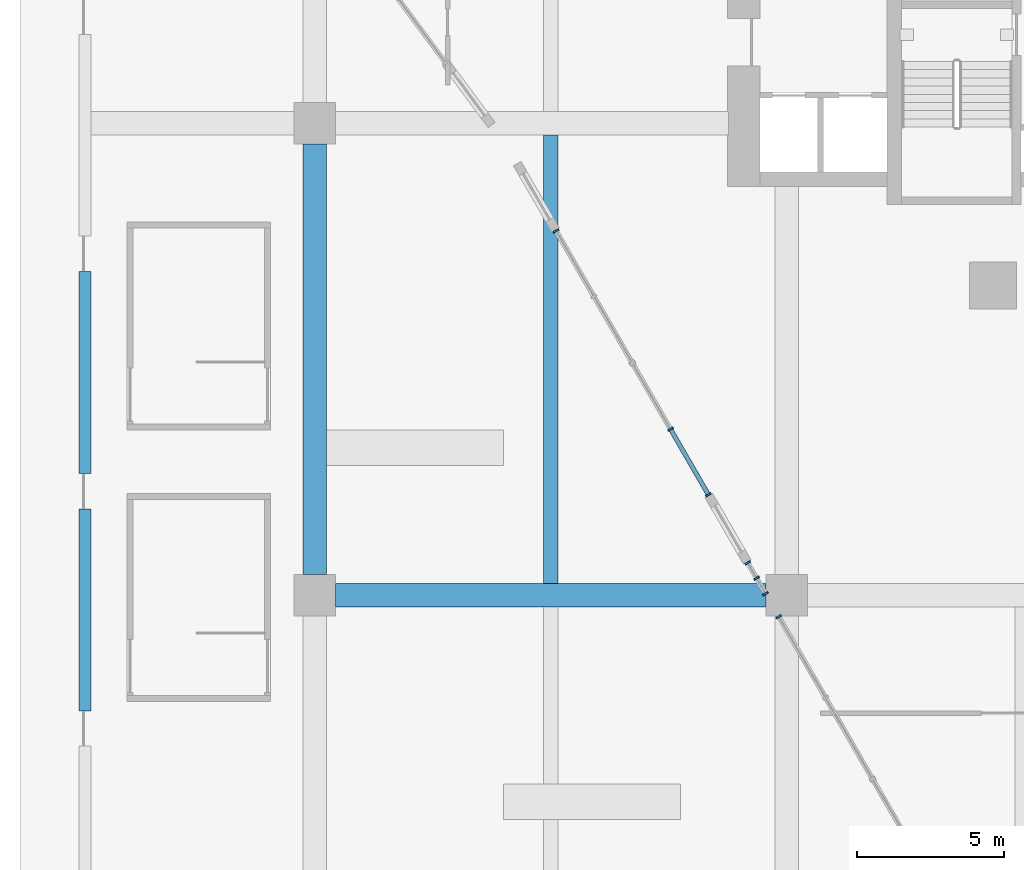
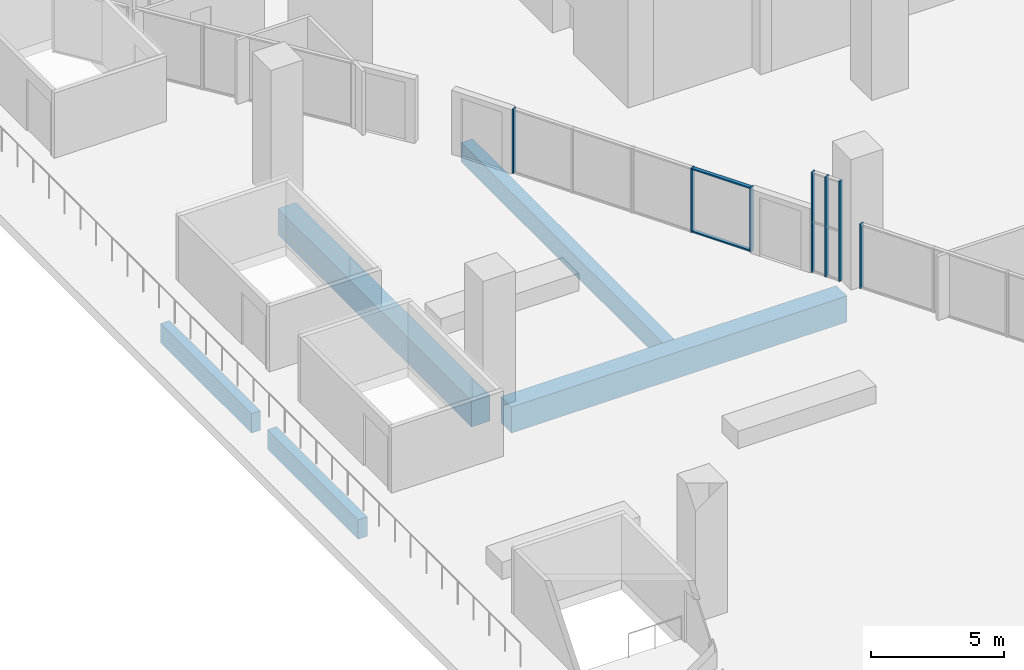
# One storey, part 7 of 25: 9 members, 5 beams, 4 elements without a shape of their own.
"""IFC4 building model written with IfcOpenShell, lengths in metres."""

from ifc_helpers import new_model, si_unit, direction, frame, origin, origin_2d, place, context, subcontext, project, spatial, rectangle, extrude, material, material_profile, profile_set, type_object, element, aggregate, save


model = new_model("IFC4")

# Units and contexts
model_context = context("Model", 3, precision=1e-05, world=origin(), true_north=direction((0.0, 1.0)))
body_context = subcontext(model_context, "Body", "Model", "MODEL_VIEW")
ifc_project = project(units=[si_unit("LENGTHUNIT", "METRE"), si_unit("AREAUNIT", "SQUARE_METRE"), si_unit("VOLUMEUNIT", "CUBIC_METRE"), si_unit("PLANEANGLEUNIT", "RADIAN"), si_unit("MASSUNIT", "GRAM", prefix="KILO")], contexts=[model_context])

# Site, building, storey
site_placement = place(None, origin())
site = spatial("IfcSite", under=ifc_project, at=site_placement, CompositionType="ELEMENT")
building_placement = place(site_placement, origin())
building = spatial("IfcBuilding", under=site, at=building_placement, Name="Calabash Gate Tower", CompositionType="ELEMENT")
storey_placement = place(building_placement, frame((0.0, 0.0, 40.0)))
storey = spatial("IfcBuildingStorey", under=building, at=storey_placement, Name="L05", CompositionType="ELEMENT", Elevation=40.0)

# Beams
ifc_material_1 = material(Name="Concrete C50/60", Category="concrete")
ifc_material_profile_1 = material_profile(ifc_material_1, rectangle(XDim=0.39990234375, YDim=0.89990234375, at=origin_2d()))
ifc_profile_set_1 = profile_set([ifc_material_profile_1], Name="Concrete C50/60")
beam_type_1 = type_object("IfcBeamType", Name="Edge beam RC 400x900 Concrete C50/60", PredefinedType="BEAM", material=ifc_profile_set_1)
beam_1_placement = place(storey_placement, frame((-39.800048828125, -11.924072265625, -0.89990234375), z_axis=(0.0, 1.0, 0.0), x_axis=(-1.0, 0.0, 0.0)))
element("IfcBeam", 1, at=beam_1_placement, inside=storey, type_object=beam_type_1, Name="Edge beam L05 5", PredefinedType="BEAM", context=body_context, shape_type="SweptSolid", body=[
    extrude(rectangle(XDim=0.39990234375, YDim=0.89990234375, at=origin_2d()), origin(), (0.0, 0.0, 1.0), 6.84814453125),
])
beam_2_placement = place(storey_placement, frame((-39.800048828125, -3.8759765625, -0.89990234375), z_axis=(0.0, 1.0, 0.0), x_axis=(-1.0, 0.0, 0.0)))
element("IfcBeam", 2, at=beam_2_placement, inside=storey, type_object=beam_type_1, Name="Edge beam L05 6", PredefinedType="BEAM", context=body_context, shape_type="SweptSolid", body=[
    extrude(rectangle(XDim=0.39990234375, YDim=0.89990234375, at=origin_2d()), origin(), (0.0, 0.0, 1.0), 6.847900390625),
])
ifc_material_2 = material(Name="Concrete C50/60", Category="concrete")
ifc_material_profile_2 = material_profile(ifc_material_2, rectangle(XDim=0.5, YDim=0.89990234375, at=origin_2d()))
ifc_profile_set_2 = profile_set([ifc_material_profile_2], Name="Concrete C50/60")
beam_type_2 = type_object("IfcBeamType", Name="Floor beam RC 500x900 Concrete C50/60", PredefinedType="BEAM", material=ifc_profile_set_2)
beam_3_placement = place(storey_placement, frame((-24.0, -7.60009765625, -0.89990234375), z_axis=(0.0, 1.0, 0.0), x_axis=(-1.0, 0.0, 0.0)))
element("IfcBeam", 3, at=beam_3_placement, inside=storey, type_object=beam_type_2, Name="Floor beam L05 3", PredefinedType="BEAM", context=body_context, shape_type="SweptSolid", body=[
    extrude(rectangle(XDim=0.5, YDim=0.89990234375, at=origin_2d()), origin(), (0.0, 0.0, 1.0), 15.2001953125),
])
ifc_material_3 = material(Name="Concrete C50/60", Category="concrete")
ifc_material_profile_3 = material_profile(ifc_material_3, rectangle(XDim=0.800048828125, YDim=1.199951171875, at=origin_2d()))
ifc_profile_set_3 = profile_set([ifc_material_profile_3], Name="Concrete C50/60")
beam_type_3 = type_object("IfcBeamType", Name="Grid girder RC 800x1200 Concrete C50/60", PredefinedType="BEAM", material=ifc_profile_set_3)
for number, where, z_axis, x_axis, name in (
    (4, (-32.0, -7.300048828125, -1.050048828125), (0.0, 1.0, 0.0), (-1.0, 0.0, 0.0), "Grid girder L05 3"),
    (5, (-31.300048828125, -8.0, -1.050048828125), (1.0, 0.0, 0.0), (0.0, 1.0, 0.0), "Grid girder L05 34"),
):
    element("IfcBeam", number, at=place(storey_placement, frame(where, z_axis=z_axis, x_axis=x_axis)), inside=storey, type_object=beam_type_3, Name=name, PredefinedType="BEAM", context=body_context, shape_type="SweptSolid", body=[
        extrude(rectangle(XDim=0.800048828125, YDim=1.199951171875, at=origin_2d()), origin(), (0.0, 0.0, 1.0), 14.60009765625),
    ])

# Curtain wall, member
ifc_material_4 = material(Name="Anodised aluminium frame, bronze finish, clear laminated impact-rated glazing", Category="aluminium")
curtain_wall_type = type_object("IfcCurtainWallType", Name="Curtain wall CWF podium shopfront", PredefinedType="NOTDEFINED", material=ifc_material_4)
curtain_wall_1_placement = place(storey_placement, origin())
curtain_wall_1 = element("IfcCurtainWall", 6, at=curtain_wall_1_placement, inside=storey, type_object=curtain_wall_type, Name="Curtain wall CWF L05 lobby 0.0.0", PredefinedType="NOTDEFINED")
ifc_material_5 = material(Name="Anodised aluminium frame, bronze finish", Category="aluminium")
ifc_material_profile_4 = material_profile(ifc_material_5, rectangle(XDim=0.199951171875, YDim=0.06494140625, at=origin_2d()))
ifc_profile_set_4 = profile_set([ifc_material_profile_4], Name="Anodised aluminium frame, bronze finish")
member_type_1 = type_object("IfcMemberType", Name="Mullion CWF 65x200", PredefinedType="MULLION", material=ifc_profile_set_4)
member_1_placement = place(storey_placement, frame((-23.821533203125, 4.35498046875, 0.0), z_axis=(0.0, 0.0, 1.0), x_axis=(0.866025391907, 0.500000020572, 0.0)))
member_1 = element("IfcMember", 7, at=member_1_placement, type_object=member_type_1, Name="CWF mullion 1", PredefinedType="MULLION", context=body_context, shape_type="SweptSolid", body=[
    extrude(rectangle(XDim=0.199951171875, YDim=0.06494140625, at=origin_2d()), origin(), (0.0, 0.0, 1.0), 2.949951171875),
])
aggregate(curtain_wall_1, [member_1])

# Curtain wall, members
curtain_wall_2_placement = place(storey_placement, origin())
curtain_wall_2 = element("IfcCurtainWall", 8, at=curtain_wall_2_placement, inside=storey, type_object=curtain_wall_type, Name="Curtain wall CWF L05 lobby 0.0.1", PredefinedType="NOTDEFINED")
member_2_placement = place(storey_placement, frame((-19.9375, -2.3720703125, 0.0), z_axis=(0.0, 0.0, 1.0), x_axis=(0.866025391907, 0.500000020572, 0.0)))
member_2 = element("IfcMember", 9, at=member_2_placement, type_object=member_type_1, Name="CWF mullion 2", PredefinedType="MULLION", context=body_context, shape_type="SweptSolid", body=[
    extrude(rectangle(XDim=0.199951171875, YDim=0.06494140625, at=origin_2d()), origin(), (0.0, 0.0, 1.0), 2.949951171875),
])
member_3_placement = place(storey_placement, frame((-18.65380859375, -4.595703125, 0.0), z_axis=(0.0, 0.0, 1.0), x_axis=(0.866025391907, 0.500000020572, 0.0)))
member_3 = element("IfcMember", 10, at=member_3_placement, type_object=member_type_1, Name="CWF mullion 3", PredefinedType="MULLION", context=body_context, shape_type="SweptSolid", body=[
    extrude(rectangle(XDim=0.199951171875, YDim=0.06494140625, at=origin_2d()), origin(), (0.0, 0.0, 1.0), 2.949951171875),
])

curtain_wall_3_placement = place(storey_placement, origin())
curtain_wall_3 = element("IfcCurtainWall", 11, at=curtain_wall_3_placement, inside=storey, type_object=curtain_wall_type, Name="Curtain wall CWF L05 lobby 0.1.0", PredefinedType="NOTDEFINED")
member_4_placement = place(storey_placement, frame((-17.3212890625, -6.90380859375, 0.0), z_axis=(0.0, 0.0, 1.0), x_axis=(0.866025421491, 0.499999969332, 0.0)))
member_4 = element("IfcMember", 12, at=member_4_placement, type_object=member_type_1, Name="CWF mullion 1", PredefinedType="MULLION", context=body_context, shape_type="SweptSolid", body=[
    extrude(rectangle(XDim=0.199951171875, YDim=0.06494140625, at=origin_2d()), origin(), (0.0, 0.0, 1.0), 4.60009765625),
])
member_5_placement = place(storey_placement, frame((-17.019775390625, -7.426025390625, 0.0), z_axis=(0.0, 0.0, 1.0), x_axis=(0.866025421491, 0.499999969332, 0.0)))
member_5 = element("IfcMember", 13, at=member_5_placement, type_object=member_type_1, Name="CWF mullion 2", PredefinedType="MULLION", context=body_context, shape_type="SweptSolid", body=[
    extrude(rectangle(XDim=0.199951171875, YDim=0.06494140625, at=origin_2d()), origin(), (0.0, 0.0, 1.0), 4.60009765625),
])
member_6_placement = place(storey_placement, frame((-16.71826171875, -7.9482421875, 0.0), z_axis=(0.0, 0.0, 1.0), x_axis=(0.866025421491, 0.499999969332, 0.0)))
member_6 = element("IfcMember", 14, at=member_6_placement, type_object=member_type_1, Name="CWF mullion 3", PredefinedType="MULLION", context=body_context, shape_type="SweptSolid", body=[
    extrude(rectangle(XDim=0.199951171875, YDim=0.06494140625, at=origin_2d()), origin(), (0.0, 0.0, 1.0), 4.60009765625),
])
aggregate(curtain_wall_3, [member_4, member_5, member_6])

# Curtain wall, member
curtain_wall_4_placement = place(storey_placement, origin())
curtain_wall_4 = element("IfcCurtainWall", 15, at=curtain_wall_4_placement, inside=storey, type_object=curtain_wall_type, Name="Curtain wall CWF L05 lobby 0.2.0", PredefinedType="NOTDEFINED")
member_7_placement = place(storey_placement, frame((-16.266845703125, -8.730224609375, 0.0), z_axis=(0.0, 0.0, 1.0), x_axis=(0.866025353039, 0.500000087894, 0.0)))
member_7 = element("IfcMember", 16, at=member_7_placement, type_object=member_type_1, Name="CWF mullion 1", PredefinedType="MULLION", context=body_context, shape_type="SweptSolid", body=[
    extrude(rectangle(XDim=0.199951171875, YDim=0.06494140625, at=origin_2d()), origin(), (0.0, 0.0, 1.0), 2.949951171875),
])
aggregate(curtain_wall_4, [member_7])

# Member
ifc_material_6 = material(Name="Anodised aluminium frame, bronze finish", Category="aluminium")
ifc_material_profile_5 = material_profile(ifc_material_6, rectangle(XDim=0.14990234375, YDim=0.06494140625, at=origin_2d()))
ifc_profile_set_5 = profile_set([ifc_material_profile_5], Name="Anodised aluminium frame, bronze finish")
member_type_2 = type_object("IfcMemberType", Name="Transom CWF 65x150", PredefinedType="USERDEFINED", material=ifc_profile_set_5)
member_8_placement = place(storey_placement, frame((-19.92138671875, -2.400390625, 0.032470703125), z_axis=(0.500063042646, -0.865989003036, 0.0), x_axis=(0.865989003036, 0.500063042646, 0.0)))
member_8 = element("IfcMember", 17, at=member_8_placement, type_object=member_type_2, Name="CWF transom 2.1", ObjectType="TRANSOM", PredefinedType="USERDEFINED", context=body_context, shape_type="SweptSolid", body=[
    extrude(rectangle(XDim=0.14990234375, YDim=0.06494140625, at=origin_2d()), origin(), (0.0, 0.0, 1.0), 2.502685546875),
])

member_9_placement = place(storey_placement, frame((-19.92138671875, -2.400390625, 2.91748046875), z_axis=(0.500063042646, -0.865989003036, 0.0), x_axis=(0.865989003036, 0.500063042646, 0.0)))
member_9 = element("IfcMember", 18, at=member_9_placement, type_object=member_type_2, Name="CWF transom 2.2", ObjectType="TRANSOM", PredefinedType="USERDEFINED", context=body_context, shape_type="SweptSolid", body=[
    extrude(rectangle(XDim=0.14990234375, YDim=0.06494140625, at=origin_2d()), origin(), (0.0, 0.0, 1.0), 2.502685546875),
])

aggregate(curtain_wall_2, [member_2, member_3, member_8, member_9])

save(model, "model.ifc")
